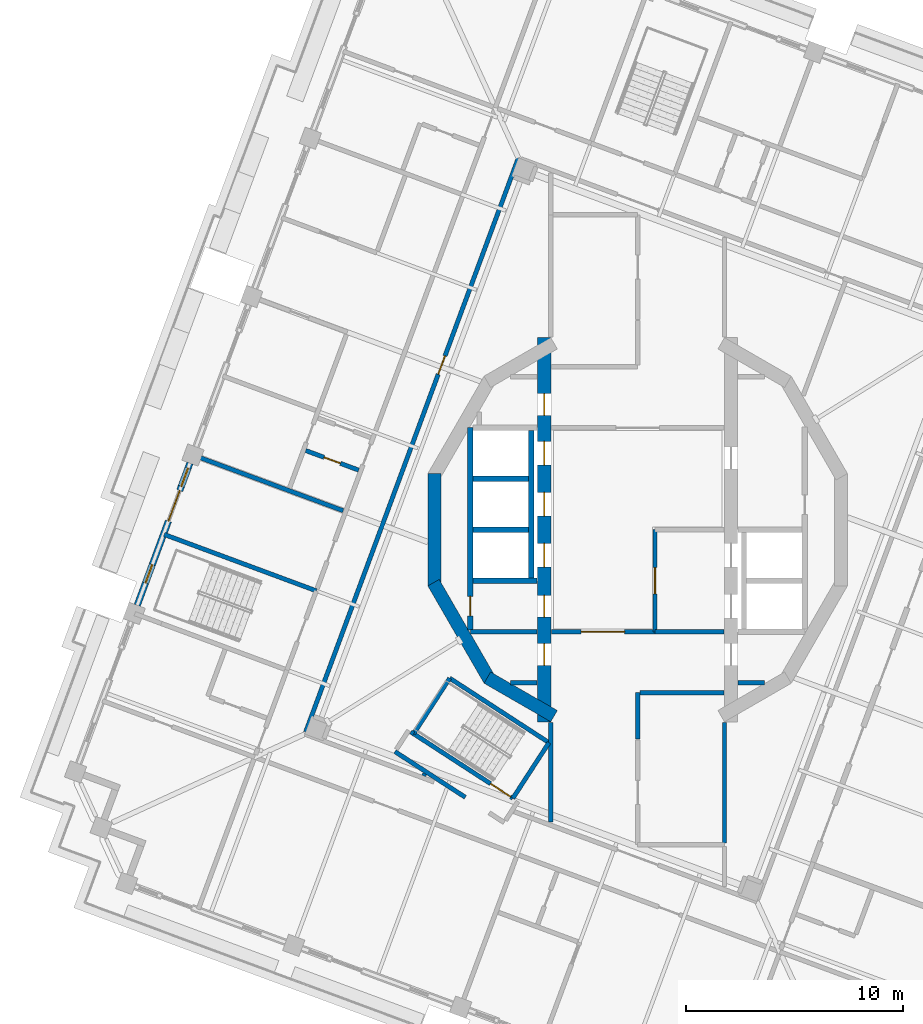
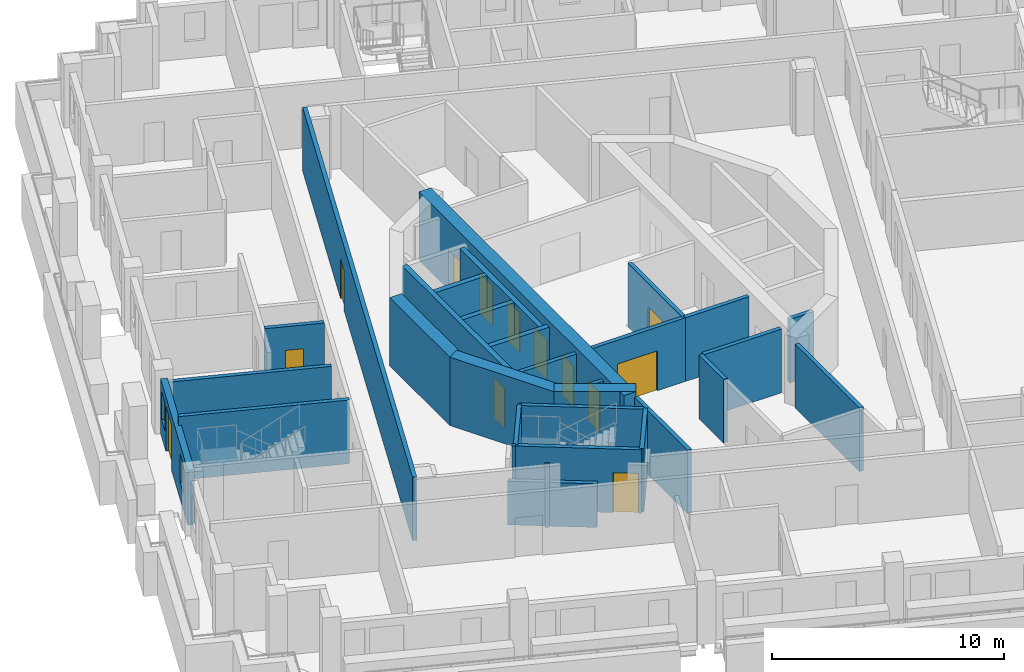
# One storey, part 5 of 19: 31 walls, 13 doors, 2 windows, 15 openings.
"""IFC4 building model written with IfcOpenShell, lengths in metres."""

from ifc_helpers import new_model, si_unit, direction, frame, frame_2d, origin, place, context, subcontext, project, spatial, rectangle, extrude, material, layer, layer_set, type_object, element, fill, save


model = new_model("IFC4")

# Units and contexts
model_context = context("Model", 3, precision=1e-05, world=origin(), true_north=direction((0.0, 1.0)))
body_context = subcontext(model_context, "Body", "Model", "MODEL_VIEW")
ifc_project = project(units=[si_unit("LENGTHUNIT", "METRE"), si_unit("AREAUNIT", "SQUARE_METRE"), si_unit("VOLUMEUNIT", "CUBIC_METRE"), si_unit("PLANEANGLEUNIT", "RADIAN"), si_unit("MASSUNIT", "GRAM", prefix="KILO")], contexts=[model_context])

# Site, building, storey
site_placement = place(None, origin())
site = spatial("IfcSite", under=ifc_project, at=site_placement, CompositionType="ELEMENT")
building_placement = place(site_placement, origin())
building = spatial("IfcBuilding", under=site, at=building_placement, Name="Cantera Rosa Tower", CompositionType="ELEMENT")
storey_placement = place(building_placement, frame((0.0, 0.0, 327.699951171875)))
storey = spatial("IfcBuildingStorey", under=building, at=storey_placement, Name="L73", CompositionType="ELEMENT", Elevation=327.699951171875)

# Walls
ifc_material_1 = material(Name="Gypsum board partition")
ifc_layer_1 = layer(ifc_material_1, 0.199951171875)
ifc_layer_set_1 = layer_set([ifc_layer_1], Name="CORRIDOR WALL 200 H2300")
wall_type_1 = type_object("IfcWallType", Name="CORRIDOR WALL 200 H2300", PredefinedType="PARTITIONING", material=ifc_layer_set_1)
wall_1_placement = place(storey_placement, frame((-11.177490234375, -10.216552734375, 0.0), z_axis=(0.0, 0.0, 1.0), x_axis=(0.83867589464, -0.544630832537, 0.0)))
element("IfcWall", 1, at=wall_1_placement, inside=storey, type_object=wall_type_1, Name="CORRIDOR WALL L73-022", PredefinedType="PARTITIONING", context=body_context, shape_type="SweptSolid", body=[
    extrude(rectangle(XDim=3.864990234375, YDim=0.199951171875, at=frame_2d((1.9326171875, 0.0))), origin(), (0.0, 0.0, 1.0), 2.300048828125),
])
ifc_material_2 = material(Name="Gypsum board partition")
ifc_layer_2 = layer(ifc_material_2, 0.199951171875)
ifc_layer_set_2 = layer_set([ifc_layer_2], Name="CORRIDOR WALL 200 H3350")
wall_type_2 = type_object("IfcWallType", Name="CORRIDOR WALL 200 H3350", PredefinedType="PARTITIONING", material=ifc_layer_set_2)
wall_2_placement = place(storey_placement, frame((-10.31591796875, -9.394775390625, 0.0), z_axis=(0.0, 0.0, 1.0), x_axis=(-0.838299581658, 0.545209878296, 0.0)))
element("IfcWall", 2, at=wall_2_placement, inside=storey, type_object=wall_type_2, Name="CORRIDOR WALL L73-026", PredefinedType="PARTITIONING", context=body_context, shape_type="SweptSolid", body=[
    extrude(rectangle(XDim=0.155029296875, YDim=0.199951171875, at=frame_2d((0.07763671875, 0.0))), origin(), (0.0, 0.0, 1.0), 3.35009765625),
])

# Wall, opening, door
wall_3_placement = place(storey_placement, frame((-5.491455078125, 17.125244140625, 0.0), z_axis=(0.0, 0.0, 1.0), x_axis=(-0.347478457093, -0.937687966147, 0.0)))
wall_3 = element("IfcWall", 3, at=wall_3_placement, inside=storey, type_object=wall_type_2, Name="CORRIDOR WALL L73-045", PredefinedType="PARTITIONING", context=body_context, shape_type="SweptSolid", body=[
    extrude(rectangle(XDim=28.19970703125, YDim=0.199951171875, at=frame_2d((14.099853515625, 0.0))), origin(), (0.0, 0.0, 1.0), 3.35009765625),
])
opening_1_placement = place(wall_3_placement, frame((9.72509765625, 0.0, 0.0)))
opening_1 = element("IfcOpeningElement", 4, at=opening_1_placement, cuts=wall_3, Name="Opening L73-006", PredefinedType="OPENING", context=body_context, shape_type="SweptSolid", body=[
    extrude(rectangle(XDim=0.89990234375, YDim=2.10009765625, at=frame_2d((0.449951171875, 1.050048828125))), frame((0.0, 0.10986328125, 0.0), z_axis=(0.0, -1.0, 0.0), x_axis=(1.0, 0.0, 0.0)), (0.0, 0.0, 1.0), 0.219970703125),
])
ifc_material_3 = material(Name="Timber door leaf", Category="wood")
door_type_1 = type_object("IfcDoorType", Name="SERVICE DOOR 900x2100", OperationType="NOTDEFINED", PredefinedType="DOOR", material=ifc_material_3)
door_1_placement = place(opening_1_placement, origin())
door_1 = element("IfcDoor", 5, at=door_1_placement, inside=storey, type_object=door_type_1, Name="DOOR L73-006", OperationType="NOTDEFINED", OverallHeight=2.10009765625, OverallWidth=0.89990234375, PredefinedType="DOOR", context=body_context, shape_type="SweptSolid", body=[
    extrude(rectangle(XDim=0.89990234375, YDim=2.10009765625, at=frame_2d((0.449951171875, 1.050048828125))), frame((0.0, 0.02490234375, 0.0), z_axis=(0.0, -1.0, 0.0), x_axis=(1.0, 0.0, 0.0)), (0.0, 0.0, 1.0), 0.050048828125),
])
fill(opening_1, door_1)

# Walls
wall_4_placement = place(storey_placement, frame((-4.0, -13.468017578125, 0.0), z_axis=(0.0, 0.0, 1.0), x_axis=(0.0, 1.0, 0.0)))
element("IfcWall", 6, at=wall_4_placement, inside=storey, type_object=wall_type_2, Name="CORRIDOR WALL L73-052", PredefinedType="PARTITIONING", context=body_context, shape_type="SweptSolid", body=[
    extrude(rectangle(XDim=4.589111328125, YDim=0.199951171875, at=frame_2d((2.29443359375, 0.0))), origin(), (0.0, 0.0, 1.0), 3.35009765625),
])
wall_5_placement = place(storey_placement, frame((0.0, -7.5, 0.0), z_axis=(0.0, 0.0, 1.0), x_axis=(0.0, -1.0, 0.0)))
element("IfcWall", 7, at=wall_5_placement, inside=storey, type_object=wall_type_2, Name="CORRIDOR WALL L73-064", PredefinedType="PARTITIONING", context=body_context, shape_type="SweptSolid", body=[
    extrude(rectangle(XDim=2.12939453125, YDim=0.199951171875, at=frame_2d((1.064697265625, 0.0))), origin(), (0.0, 0.0, 1.0), 3.35009765625),
])

# Wall, opening, door
wall_6_placement = place(storey_placement, frame((0.800048828125, -4.699951171875, 0.0), z_axis=(0.0, 0.0, 1.0), x_axis=(-1.0, 0.0, 0.0)))
wall_6 = element("IfcWall", 8, at=wall_6_placement, inside=storey, type_object=wall_type_2, Name="CORRIDOR WALL L73-069", PredefinedType="PARTITIONING", context=body_context, shape_type="SweptSolid", body=[
    extrude(rectangle(XDim=4.77001953125, YDim=0.199951171875, at=frame_2d((2.385009765625, 0.0))), origin(), (0.0, 0.0, 1.0), 3.35009765625),
])
opening_2_placement = place(wall_6_placement, frame((1.39990234375, 0.0, 0.0)))
opening_2 = element("IfcOpeningElement", 9, at=opening_2_placement, cuts=wall_6, Name="Opening L73-012", PredefinedType="OPENING", context=body_context, shape_type="SweptSolid", body=[
    extrude(rectangle(XDim=2.0, YDim=2.10009765625, at=frame_2d((1.0, 1.050048828125))), frame((0.0, 0.10986328125, 0.0), z_axis=(0.0, -1.0, 0.0), x_axis=(1.0, 0.0, 0.0)), (0.0, 0.0, 1.0), 0.219970703125),
])
ifc_material_4 = material(Name="Steel S355J2 (EN 10025-2)", Category="steel")
door_type_2 = type_object("IfcDoorType", Name="LOBBY SCREEN DOOR 2000x2100", OperationType="NOTDEFINED", PredefinedType="DOOR", material=ifc_material_4)
door_2_placement = place(opening_2_placement, origin())
door_2 = element("IfcDoor", 10, at=door_2_placement, inside=storey, type_object=door_type_2, Name="DOOR L73-012", OperationType="NOTDEFINED", OverallHeight=2.10009765625, OverallWidth=2.0, PredefinedType="DOOR", context=body_context, shape_type="SweptSolid", body=[
    extrude(rectangle(XDim=2.0, YDim=2.10009765625, at=frame_2d((1.0, 1.050048828125))), frame((0.0, 0.02490234375, 0.0), z_axis=(0.0, -1.0, 0.0), x_axis=(1.0, 0.0, 0.0)), (0.0, 0.0, 1.0), 0.050048828125),
])
fill(opening_2, door_2)

# Wall
wall_7_placement = place(storey_placement, frame((3.969970703125, -7.5, 0.0), z_axis=(0.0, 0.0, 1.0), x_axis=(-1.0, 0.0, 0.0)))
element("IfcWall", 11, at=wall_7_placement, inside=storey, type_object=wall_type_2, Name="CORRIDOR WALL L73-075", PredefinedType="PARTITIONING", context=body_context, shape_type="SweptSolid", body=[
    extrude(rectangle(XDim=3.869873046875, YDim=0.199951171875, at=frame_2d((1.93505859375, 0.0))), origin(), (0.0, 0.0, 1.0), 3.35009765625),
])

# Wall, openings, windows, door
ifc_material_5 = material(Name="Hollow clay masonry with cantera stone cladding", Category="masonry")
ifc_layer_3 = layer(ifc_material_5, 0.300048828125)
ifc_layer_set_3 = layer_set([ifc_layer_3], Name="EW-LOGGIA 300 H2890")
wall_type_3 = type_object("IfcWallType", Name="EW-LOGGIA 300 H2890", PredefinedType="SOLIDWALL", material=ifc_layer_set_3)
wall_8_placement = place(storey_placement, frame((-20.61962890625, 3.06591796875, 0.0), z_axis=(0.0, 0.0, 1.0), x_axis=(-0.347471562124, -0.937690521182, 0.0)))
wall_8 = element("IfcWall", 12, at=wall_8_placement, inside=storey, type_object=wall_type_3, Name="EN-L73-W10", PredefinedType="SOLIDWALL", context=body_context, shape_type="SweptSolid", body=[
    extrude(rectangle(XDim=6.979736328125, YDim=0.300048828125, at=frame_2d((3.48974609375, 0.0))), origin(), (0.0, 0.0, 1.0), 2.89013671875),
])
opening_3_placement = place(wall_8_placement, frame((0.2451171875, 0.0, 0.89990234375)))
opening_3 = element("IfcOpeningElement", 13, at=opening_3_placement, cuts=wall_8, Name="Opening L73-W22", PredefinedType="OPENING", context=body_context, shape_type="SweptSolid", body=[
    extrude(rectangle(XDim=0.89990234375, YDim=1.5, at=frame_2d((0.449951171875, 0.75))), frame((0.0, 0.159912109375, 0.0), z_axis=(0.0, -1.0, 0.0), x_axis=(1.0, 0.0, 0.0)), (0.0, 0.0, 1.0), 0.320068359375),
])
opening_4_placement = place(wall_8_placement, frame((1.344970703125, 0.0, 0.0)))
opening_4 = element("IfcOpeningElement", 14, at=opening_4_placement, cuts=wall_8, Name="Opening L73-TD23", PredefinedType="OPENING", context=body_context, shape_type="SweptSolid", body=[
    extrude(rectangle(XDim=1.5, YDim=2.39990234375, at=frame_2d((0.75, 1.199951171875))), frame((0.0, 0.159912109375, 0.0), z_axis=(0.0, -1.0, 0.0), x_axis=(1.0, 0.0, 0.0)), (0.0, 0.0, 1.0), 0.320068359375),
])
opening_5_placement = place(wall_8_placement, frame((4.985107421875, 0.0, 0.89990234375)))
opening_5 = element("IfcOpeningElement", 15, at=opening_5_placement, cuts=wall_8, Name="Opening L73-W24", PredefinedType="OPENING", context=body_context, shape_type="SweptSolid", body=[
    extrude(rectangle(XDim=0.89990234375, YDim=1.5, at=frame_2d((0.449951171875, 0.75))), frame((0.0, 0.159912109375, 0.0), z_axis=(0.0, -1.0, 0.0), x_axis=(1.0, 0.0, 0.0)), (0.0, 0.0, 1.0), 0.320068359375),
])
ifc_material_6 = material(Name="Aluminium frame with clear glass", Category="aluminium")
window_type = type_object("IfcWindowType", Name="Residential window 900x1500", PartitioningType="SINGLE_PANEL", PredefinedType="WINDOW", material=ifc_material_6)
window_1_placement = place(opening_3_placement, origin())
window_1 = element("IfcWindow", 16, at=window_1_placement, inside=storey, type_object=window_type, Name="WINDOW L73-W22", OverallHeight=1.5, OverallWidth=0.89990234375, PartitioningType="SINGLE_PANEL", PredefinedType="WINDOW", context=body_context, shape_type="SweptSolid", body=[
    extrude(rectangle(XDim=0.89990234375, YDim=1.5, at=frame_2d((0.449951171875, 0.75))), frame((0.0, 0.030029296875, 0.0), z_axis=(0.0, -1.0, 0.0), x_axis=(1.0, 0.0, 0.0)), (0.0, 0.0, 1.0), 0.06005859375),
])
fill(opening_3, window_1)
window_2_placement = place(opening_5_placement, origin())
window_2 = element("IfcWindow", 17, at=window_2_placement, inside=storey, type_object=window_type, Name="WINDOW L73-W24", OverallHeight=1.5, OverallWidth=0.89990234375, PartitioningType="SINGLE_PANEL", PredefinedType="WINDOW", context=body_context, shape_type="SweptSolid", body=[
    extrude(rectangle(XDim=0.89990234375, YDim=1.5, at=frame_2d((0.449951171875, 0.75))), frame((0.0, 0.030029296875, 0.0), z_axis=(0.0, -1.0, 0.0), x_axis=(1.0, 0.0, 0.0)), (0.0, 0.0, 1.0), 0.06005859375),
])
fill(opening_5, window_2)
ifc_material_7 = material(Name="Aluminium frame with clear glass", Category="aluminium")
door_type_3 = type_object("IfcDoorType", Name="TD-R 1500x2400", OperationType="NOTDEFINED", PredefinedType="DOOR", material=ifc_material_7)
door_3_placement = place(opening_4_placement, origin())
door_3 = element("IfcDoor", 18, at=door_3_placement, inside=storey, type_object=door_type_3, Name="LOGGIA DOOR L73-TD23", OperationType="SLIDING_TO_LEFT", OverallHeight=2.39990234375, OverallWidth=1.5, PredefinedType="DOOR", context=body_context, shape_type="SweptSolid", body=[
    extrude(rectangle(XDim=1.5, YDim=2.39990234375, at=frame_2d((0.75, 1.199951171875))), frame((0.0, 0.02490234375, 0.0), z_axis=(0.0, -1.0, 0.0), x_axis=(1.0, 0.0, 0.0)), (0.0, 0.0, 1.0), 0.050048828125),
])
fill(opening_4, door_3)

# Wall, opening, door
ifc_material_8 = material(Name="Gypsum board partition")
ifc_layer_4 = layer(ifc_material_8, 0.199951171875)
ifc_layer_set_4 = layer_set([ifc_layer_4], Name="PARTITION 200 H3350")
wall_type_4 = type_object("IfcWallType", Name="PARTITION 200 H3350", PredefinedType="PARTITIONING", material=ifc_layer_set_4)
wall_9_placement = place(storey_placement, frame((-15.28466796875, 3.6484375, 0.0), z_axis=(0.0, 0.0, 1.0), x_axis=(0.937703444273, -0.347436685741, 0.0)))
wall_9 = element("IfcWall", 19, at=wall_9_placement, inside=storey, type_object=wall_type_4, Name="PARTITION L73-012", PredefinedType="PARTITIONING", context=body_context, shape_type="SweptSolid", body=[
    extrude(rectangle(XDim=2.599853515625, YDim=0.199951171875, at=frame_2d((1.2998046875, 0.0))), origin(), (0.0, 0.0, 1.0), 3.35009765625),
])
opening_6_placement = place(wall_9_placement, frame((0.89990234375, 0.0, 0.0)))
opening_6 = element("IfcOpeningElement", 20, at=opening_6_placement, cuts=wall_9, Name="Opening L73-029", PredefinedType="OPENING", context=body_context, shape_type="SweptSolid", body=[
    extrude(rectangle(XDim=0.800048828125, YDim=2.10009765625, at=frame_2d((0.39990234375, 1.050048828125))), frame((0.0, 0.10986328125, 0.0), z_axis=(0.0, -1.0, 0.0), x_axis=(1.0, 0.0, 0.0)), (0.0, 0.0, 1.0), 0.219970703125),
])
ifc_material_9 = material(Name="Timber door leaf", Category="wood")
door_type_4 = type_object("IfcDoorType", Name="BATHROOM DOOR 800x2100", OperationType="NOTDEFINED", PredefinedType="DOOR", material=ifc_material_9)
door_4_placement = place(opening_6_placement, origin())
door_4 = element("IfcDoor", 21, at=door_4_placement, inside=storey, type_object=door_type_4, Name="DOOR L73-029", OperationType="NOTDEFINED", OverallHeight=2.10009765625, OverallWidth=0.800048828125, PredefinedType="DOOR", context=body_context, shape_type="SweptSolid", body=[
    extrude(rectangle(XDim=0.800048828125, YDim=2.10009765625, at=frame_2d((0.39990234375, 1.050048828125))), frame((0.0, 0.02490234375, 0.0), z_axis=(0.0, -1.0, 0.0), x_axis=(1.0, 0.0, 0.0)), (0.0, 0.0, 1.0), 0.050048828125),
])
fill(opening_6, door_4)

# Walls
wall_10_placement = place(storey_placement, frame((-9.79931640625, -11.230224609375, 0.0), z_axis=(0.0, 0.0, 1.0), x_axis=(-0.4472135955, -0.894427191, 0.0)))
element("IfcWall", 22, at=wall_10_placement, inside=storey, type_object=wall_type_4, Name="PARTITION L73-028", PredefinedType="PARTITIONING", context=body_context, shape_type="SweptSolid", body=[
    extrude(rectangle(XDim=0.11572265625, YDim=0.199951171875, at=frame_2d((0.057861328125, 0.0))), origin(), (0.0, 0.0, 1.0), 3.35009765625),
])
wall_11_placement = place(storey_placement, frame((-7.699951171875, -4.699951171875, 0.0), z_axis=(0.0, 0.0, 1.0), x_axis=(1.0, 0.0, 0.0)))
element("IfcWall", 23, at=wall_11_placement, inside=storey, type_object=wall_type_4, Name="PARTITION L73-030", PredefinedType="PARTITIONING", context=body_context, shape_type="SweptSolid", body=[
    extrude(rectangle(XDim=3.070068359375, YDim=0.199951171875, at=frame_2d((1.53515625, 0.0))), origin(), (0.0, 0.0, 1.0), 3.35009765625),
])
wall_12_placement = place(storey_placement, frame((-4.6298828125, -7.050048828125, 0.0), z_axis=(0.0, 0.0, 1.0), x_axis=(-1.0, 0.0, 0.0)))
element("IfcWall", 24, at=wall_12_placement, inside=storey, type_object=wall_type_4, Name="PARTITION L73-048", PredefinedType="PARTITIONING", context=body_context, shape_type="SweptSolid", body=[
    extrude(rectangle(XDim=1.2177734375, YDim=0.199951171875, at=frame_2d((0.60888671875, 0.0))), origin(), (0.0, 0.0, 1.0), 3.35009765625),
])
wall_13_placement = place(storey_placement, frame((4.0, -14.419921875, 0.0), z_axis=(0.0, 0.0, 1.0), x_axis=(0.0, 1.0, 0.0)))
element("IfcWall", 25, at=wall_13_placement, inside=storey, type_object=wall_type_4, Name="PARTITION L73-078", PredefinedType="PARTITIONING", context=body_context, shape_type="SweptSolid", body=[
    extrude(rectangle(XDim=5.541015625, YDim=0.199951171875, at=frame_2d((2.7705078125, 0.0))), origin(), (0.0, 0.0, 1.0), 3.35009765625),
])
wall_14_placement = place(storey_placement, frame((5.84765625, -7.050048828125, 0.0), z_axis=(0.0, 0.0, 1.0), x_axis=(-1.0, 0.0, 0.0)))
element("IfcWall", 26, at=wall_14_placement, inside=storey, type_object=wall_type_4, Name="PARTITION L73-087", PredefinedType="PARTITIONING", context=body_context, shape_type="SweptSolid", body=[
    extrude(rectangle(XDim=1.2177734375, YDim=0.199951171875, at=frame_2d((0.60888671875, 0.0))), origin(), (0.0, 0.0, 1.0), 3.35009765625),
])
ifc_material_10 = material(Name="Gypsum board partition")
ifc_layer_5 = layer(ifc_material_10, 0.199951171875)
ifc_layer_set_5 = layer_set([ifc_layer_5], Name="PARTY WALL 200 H2450")
wall_type_5 = type_object("IfcWallType", Name="PARTY WALL 200 H2450", PredefinedType="PARTITIONING", material=ifc_layer_set_5)
wall_15_placement = place(storey_placement, frame((-13.560302734375, 0.876708984375, 0.0), z_axis=(0.0, 0.0, 1.0), x_axis=(-0.937689847803, 0.347473379308, 0.0)))
element("IfcWall", 27, at=wall_15_placement, inside=storey, type_object=wall_type_5, Name="PARTY WALL L73-019", PredefinedType="PARTITIONING", context=body_context, shape_type="SweptSolid", body=[
    extrude(rectangle(XDim=7.35009765625, YDim=0.199951171875, at=frame_2d((3.675048828125, 0.0))), origin(), (0.0, 0.0, 1.0), 2.449951171875),
])
ifc_material_11 = material(Name="Concrete C50/60", Category="concrete")
ifc_layer_6 = layer(ifc_material_11, 0.60009765625)
ifc_layer_set_6 = layer_set([ifc_layer_6], Name="RC CORE WALL 600 C50/60")
wall_type_6 = type_object("IfcWallType", Name="RC CORE WALL 600 C50/60", PredefinedType="SHEAR", material=ifc_layer_set_6)
wall_16_placement = place(storey_placement, frame((-3.85009765625, -8.584228515625, 0.0), z_axis=(0.0, 0.0, 1.0), x_axis=(-0.866039982607, 0.499974747889, 0.0)))
element("IfcWall", 28, at=wall_16_placement, inside=storey, type_object=wall_type_6, Name="CW-W1 L73", PredefinedType="SHEAR", context=body_context, shape_type="SweptSolid", body=[
    extrude(rectangle(XDim=3.546142578125, YDim=0.60009765625, at=frame_2d((1.77294921875, 0.0))), origin(), (0.0, 0.0, 1.0), 3.60009765625),
])
for number, where, z_axis, x_axis, name in (
    (29, (-6.811279296875, -6.921142578125, 0.0), (0.0, 0.0, 1.0), (-0.499989188378, 0.866031645787, 0.0), "CW-W2 L73"),
    (30, (-9.359375, -2.588134765625, 0.0), (0.0, 0.0, 1.0), (0.0, 1.0, 0.0), "CW-W3 L73"),
):
    element("IfcWall", number, at=place(storey_placement, frame(where, z_axis=z_axis, x_axis=x_axis)), inside=storey, type_object=wall_type_6, Name=name, PredefinedType="SHEAR", context=body_context, shape_type="SweptSolid", body=[
        extrude(rectangle(XDim=5.17626953125, YDim=0.60009765625, at=frame_2d((2.588134765625, 0.0))), origin(), (0.0, 0.0, 1.0), 3.60009765625),
    ])

# Wall, openings, doors
wall_17_placement = place(storey_placement, frame((-4.300048828125, 8.84423828125, 0.0), z_axis=(0.0, 0.0, 1.0), x_axis=(0.0, -1.0, 0.0)))
wall_17 = element("IfcWall", 31, at=wall_17_placement, inside=storey, type_object=wall_type_6, Name="CW-W6 L73", PredefinedType="SHEAR", context=body_context, shape_type="SweptSolid", body=[
    extrude(rectangle(XDim=17.6884765625, YDim=0.60009765625, at=frame_2d((8.84423828125, 0.0))), origin(), (0.0, 0.0, 1.0), 3.60009765625),
])
opening_7_placement = place(wall_17_placement, frame((9.468994140625, 0.0, 0.0)))
opening_7 = element("IfcOpeningElement", 32, at=opening_7_placement, cuts=wall_17, Name="Opening LD-H1-L73", PredefinedType="OPENING", context=body_context, shape_type="SweptSolid", body=[
    extrude(rectangle(XDim=1.10009765625, YDim=2.10009765625, at=frame_2d((0.550048828125, 1.050048828125))), frame((0.0, 0.31005859375, 0.0), z_axis=(0.0, -1.0, 0.0), x_axis=(1.0, 0.0, 0.0)), (0.0, 0.0, 1.0), 0.6201171875),
])
opening_8_placement = place(wall_17_placement, frame((7.119140625, 0.0, 0.0)))
opening_8 = element("IfcOpeningElement", 33, at=opening_8_placement, cuts=wall_17, Name="Opening LD-H2-L73", PredefinedType="OPENING", context=body_context, shape_type="SweptSolid", body=[
    extrude(rectangle(XDim=1.10009765625, YDim=2.10009765625, at=frame_2d((0.550048828125, 1.050048828125))), frame((0.0, 0.31005859375, 0.0), z_axis=(0.0, -1.0, 0.0), x_axis=(1.0, 0.0, 0.0)), (0.0, 0.0, 1.0), 0.6201171875),
])
opening_9_placement = place(wall_17_placement, frame((4.76904296875, 0.0, 0.0)))
opening_9 = element("IfcOpeningElement", 34, at=opening_9_placement, cuts=wall_17, Name="Opening LD-H3-L73", PredefinedType="OPENING", context=body_context, shape_type="SweptSolid", body=[
    extrude(rectangle(XDim=1.10009765625, YDim=2.10009765625, at=frame_2d((0.550048828125, 1.050048828125))), frame((0.0, 0.31005859375, 0.0), z_axis=(0.0, -1.0, 0.0), x_axis=(1.0, 0.0, 0.0)), (0.0, 0.0, 1.0), 0.6201171875),
])
opening_10_placement = place(wall_17_placement, frame((14.091552734375, 0.0, 0.0)))
opening_10 = element("IfcOpeningElement", 35, at=opening_10_placement, cuts=wall_17, Name="Opening SD-L73-16", PredefinedType="OPENING", context=body_context, shape_type="SweptSolid", body=[
    extrude(rectangle(XDim=1.0, YDim=2.10009765625, at=frame_2d((0.5, 1.050048828125))), frame((0.0, 0.31005859375, 0.0), z_axis=(0.0, -1.0, 0.0), x_axis=(1.0, 0.0, 0.0)), (0.0, 0.0, 1.0), 0.6201171875),
])
opening_11_placement = place(wall_17_placement, frame((2.572265625, 0.0, 0.0)))
opening_11 = element("IfcOpeningElement", 36, at=opening_11_placement, cuts=wall_17, Name="Opening SD-L73-17", PredefinedType="OPENING", context=body_context, shape_type="SweptSolid", body=[
    extrude(rectangle(XDim=1.0, YDim=2.10009765625, at=frame_2d((0.5, 1.050048828125))), frame((0.0, 0.31005859375, 0.0), z_axis=(0.0, -1.0, 0.0), x_axis=(1.0, 0.0, 0.0)), (0.0, 0.0, 1.0), 0.6201171875),
])
opening_12_placement = place(wall_17_placement, frame((11.869140625, 0.0, 0.0)))
opening_12 = element("IfcOpeningElement", 37, at=opening_12_placement, cuts=wall_17, Name="Opening SD-L73-18", PredefinedType="OPENING", context=body_context, shape_type="SweptSolid", body=[
    extrude(rectangle(XDim=1.0, YDim=2.10009765625, at=frame_2d((0.5, 1.050048828125))), frame((0.0, 0.31005859375, 0.0), z_axis=(0.0, -1.0, 0.0), x_axis=(1.0, 0.0, 0.0)), (0.0, 0.0, 1.0), 0.6201171875),
])
ifc_material_12 = material(Name="Steel S355J2 (EN 10025-2)", Category="steel")
door_type_5 = type_object("IfcDoorType", Name="LANDING DOOR 1100x2100", OperationType="NOTDEFINED", PredefinedType="DOOR", material=ifc_material_12)
door_5_placement = place(opening_7_placement, origin())
door_5 = element("IfcDoor", 38, at=door_5_placement, inside=storey, type_object=door_type_5, Name="LANDING DOOR H1 L73", OperationType="SLIDING_TO_LEFT", OverallHeight=2.10009765625, OverallWidth=1.10009765625, PredefinedType="DOOR", context=body_context, shape_type="SweptSolid", body=[
    extrude(rectangle(XDim=1.10009765625, YDim=2.10009765625, at=frame_2d((0.550048828125, 1.050048828125))), frame((0.0, 0.02490234375, 0.0), z_axis=(0.0, -1.0, 0.0), x_axis=(1.0, 0.0, 0.0)), (0.0, 0.0, 1.0), 0.050048828125),
])
fill(opening_7, door_5)
door_6_placement = place(opening_8_placement, origin())
door_6 = element("IfcDoor", 39, at=door_6_placement, inside=storey, type_object=door_type_5, Name="LANDING DOOR H2 L73", OperationType="SLIDING_TO_LEFT", OverallHeight=2.10009765625, OverallWidth=1.10009765625, PredefinedType="DOOR", context=body_context, shape_type="SweptSolid", body=[
    extrude(rectangle(XDim=1.10009765625, YDim=2.10009765625, at=frame_2d((0.550048828125, 1.050048828125))), frame((0.0, 0.02490234375, 0.0), z_axis=(0.0, -1.0, 0.0), x_axis=(1.0, 0.0, 0.0)), (0.0, 0.0, 1.0), 0.050048828125),
])
fill(opening_8, door_6)
door_7_placement = place(opening_9_placement, origin())
door_7 = element("IfcDoor", 40, at=door_7_placement, inside=storey, type_object=door_type_5, Name="LANDING DOOR H3 L73", OperationType="SLIDING_TO_LEFT", OverallHeight=2.10009765625, OverallWidth=1.10009765625, PredefinedType="DOOR", context=body_context, shape_type="SweptSolid", body=[
    extrude(rectangle(XDim=1.10009765625, YDim=2.10009765625, at=frame_2d((0.550048828125, 1.050048828125))), frame((0.0, 0.02490234375, 0.0), z_axis=(0.0, -1.0, 0.0), x_axis=(1.0, 0.0, 0.0)), (0.0, 0.0, 1.0), 0.050048828125),
])
fill(opening_9, door_7)
ifc_material_13 = material(Name="Timber door leaf", Category="wood")
door_type_6 = type_object("IfcDoorType", Name="SERVICE DOOR 1000x2100", OperationType="NOTDEFINED", PredefinedType="DOOR", material=ifc_material_13)
door_8_placement = place(opening_10_placement, origin())
door_8 = element("IfcDoor", 41, at=door_8_placement, inside=storey, type_object=door_type_6, Name="DOOR L73-SD16", OperationType="NOTDEFINED", OverallHeight=2.10009765625, OverallWidth=1.0, PredefinedType="DOOR", context=body_context, shape_type="SweptSolid", body=[
    extrude(rectangle(XDim=1.0, YDim=2.10009765625, at=frame_2d((0.5, 1.050048828125))), frame((0.0, 0.02490234375, 0.0), z_axis=(0.0, -1.0, 0.0), x_axis=(1.0, 0.0, 0.0)), (0.0, 0.0, 1.0), 0.050048828125),
])
fill(opening_10, door_8)
door_9_placement = place(opening_11_placement, origin())
door_9 = element("IfcDoor", 42, at=door_9_placement, inside=storey, type_object=door_type_6, Name="DOOR L73-SD17", OperationType="NOTDEFINED", OverallHeight=2.10009765625, OverallWidth=1.0, PredefinedType="DOOR", context=body_context, shape_type="SweptSolid", body=[
    extrude(rectangle(XDim=1.0, YDim=2.10009765625, at=frame_2d((0.5, 1.050048828125))), frame((0.0, 0.02490234375, 0.0), z_axis=(0.0, -1.0, 0.0), x_axis=(1.0, 0.0, 0.0)), (0.0, 0.0, 1.0), 0.050048828125),
])
fill(opening_11, door_9)
door_10_placement = place(opening_12_placement, origin())
door_10 = element("IfcDoor", 43, at=door_10_placement, inside=storey, type_object=door_type_6, Name="DOOR L73-SD18", OperationType="NOTDEFINED", OverallHeight=2.10009765625, OverallWidth=1.0, PredefinedType="DOOR", context=body_context, shape_type="SweptSolid", body=[
    extrude(rectangle(XDim=1.0, YDim=2.10009765625, at=frame_2d((0.5, 1.050048828125))), frame((0.0, 0.02490234375, 0.0), z_axis=(0.0, -1.0, 0.0), x_axis=(1.0, 0.0, 0.0)), (0.0, 0.0, 1.0), 0.050048828125),
])
fill(opening_12, door_10)

# Walls
ifc_material_14 = material(Name="Masonry blockwork", Category="masonry")
ifc_layer_7 = layer(ifc_material_14, 0.25)
ifc_layer_set_7 = layer_set([ifc_layer_7], Name="SHAFT WALL 250 H3350")
wall_type_7 = type_object("IfcWallType", Name="SHAFT WALL 250 H3350", PredefinedType="SOLIDWALL", material=ifc_layer_set_7)
for number, where, z_axis, x_axis, name in (
    (44, (-7.574951171875, 0.0, 0.0), (0.0, 0.0, 1.0), (1.0, 0.0, 0.0), "SHAFT WALL L73-031"),
    (45, (-7.574951171875, 2.35009765625, 0.0), (0.0, 0.0, 1.0), (1.0, 0.0, 0.0), "SHAFT WALL L73-032"),
):
    element("IfcWall", number, at=place(storey_placement, frame(where, z_axis=z_axis, x_axis=x_axis)), inside=storey, type_object=wall_type_7, Name=name, PredefinedType="SOLIDWALL", context=body_context, shape_type="SweptSolid", body=[
        extrude(rectangle(XDim=2.554931640625, YDim=0.25, at=frame_2d((1.27734375, 0.0))), origin(), (0.0, 0.0, 1.0), 3.35009765625),
    ])

# Wall, opening, door
wall_18_placement = place(storey_placement, frame((-7.699951171875, 4.699951171875, 0.0), z_axis=(0.0, 0.0, 1.0), x_axis=(0.0, -1.0, 0.0)))
wall_18 = element("IfcWall", 46, at=wall_18_placement, inside=storey, type_object=wall_type_7, Name="SHAFT WALL L73-033", PredefinedType="SOLIDWALL", context=body_context, shape_type="SweptSolid", body=[
    extrude(rectangle(XDim=9.320068359375, YDim=0.25, at=frame_2d((4.66015625, 0.0))), origin(), (0.0, 0.0, 1.0), 3.35009765625),
])
opening_13_placement = place(wall_18_placement, frame((7.7705078125, 0.0, 0.0)))
opening_13 = element("IfcOpeningElement", 47, at=opening_13_placement, cuts=wall_18, Name="Opening L73-053", PredefinedType="OPENING", context=body_context, shape_type="SweptSolid", body=[
    extrude(rectangle(XDim=0.89990234375, YDim=2.10009765625, at=frame_2d((0.449951171875, 1.050048828125))), frame((0.0, 0.135009765625, 0.0), z_axis=(0.0, -1.0, 0.0), x_axis=(1.0, 0.0, 0.0)), (0.0, 0.0, 1.0), 0.27001953125),
])
door_11_placement = place(opening_13_placement, origin())
door_11 = element("IfcDoor", 48, at=door_11_placement, inside=storey, type_object=door_type_1, Name="RISER DOOR L73-053", OperationType="NOTDEFINED", OverallHeight=2.10009765625, OverallWidth=0.89990234375, PredefinedType="DOOR", context=body_context, shape_type="SweptSolid", body=[
    extrude(rectangle(XDim=0.89990234375, YDim=2.10009765625, at=frame_2d((0.449951171875, 1.050048828125))), frame((0.0, 0.02490234375, 0.0), z_axis=(0.0, -1.0, 0.0), x_axis=(1.0, 0.0, 0.0)), (0.0, 0.0, 1.0), 0.050048828125),
])
fill(opening_13, door_11)

# Walls
wall_19_placement = place(storey_placement, frame((-4.89990234375, -2.22509765625, 0.0), z_axis=(0.0, 0.0, 1.0), x_axis=(0.0, 1.0, 0.0)))
element("IfcWall", 49, at=wall_19_placement, inside=storey, type_object=wall_type_7, Name="SHAFT WALL L73-047", PredefinedType="SOLIDWALL", context=body_context, shape_type="SweptSolid", body=[
    extrude(rectangle(XDim=6.800048828125, YDim=0.25, at=frame_2d((3.39990234375, 0.0))), origin(), (0.0, 0.0, 1.0), 3.35009765625),
])
wall_20_placement = place(storey_placement, frame((-4.6298828125, -2.35009765625, 0.0), z_axis=(0.0, 0.0, 1.0), x_axis=(-1.0, 0.0, 0.0)))
element("IfcWall", 50, at=wall_20_placement, inside=storey, type_object=wall_type_7, Name="SHAFT WALL L73-049", PredefinedType="SOLIDWALL", context=body_context, shape_type="SweptSolid", body=[
    extrude(rectangle(XDim=2.945068359375, YDim=0.25, at=frame_2d((1.47265625, 0.0))), origin(), (0.0, 0.0, 1.0), 3.35009765625),
])
ifc_material_15 = material(Name="Concrete C50/60", Category="concrete")
ifc_layer_8 = layer(ifc_material_15, 0.199951171875)
ifc_layer_set_8 = layer_set([ifc_layer_8], Name="STAIR WALL 200 H3350")
wall_type_8 = type_object("IfcWallType", Name="STAIR WALL 200 H3350", PredefinedType="SOLIDWALL", material=ifc_layer_set_8)
wall_21_placement = place(storey_placement, frame((-14.799560546875, -2.812744140625, 0.0), z_axis=(0.0, 0.0, 1.0), x_axis=(-0.93768803379, 0.347478274555, 0.0)))
element("IfcWall", 51, at=wall_21_placement, inside=storey, type_object=wall_type_8, Name="STAIR WALL L73-016", PredefinedType="SOLIDWALL", context=body_context, shape_type="SweptSolid", body=[
    extrude(rectangle(XDim=7.47021484375, YDim=0.199951171875, at=frame_2d((3.735107421875, 0.0))), origin(), (0.0, 0.0, 1.0), 3.35009765625),
])
wall_22_placement = place(storey_placement, frame((-8.65478515625, -6.8369140625, 0.0), z_axis=(0.0, 0.0, 1.0), x_axis=(-0.544647854685, -0.838664840319, 0.0)))
element("IfcWall", 52, at=wall_22_placement, inside=storey, type_object=wall_type_8, Name="STAIR WALL L73-029", PredefinedType="SOLIDWALL", context=body_context, shape_type="SweptSolid", body=[
    extrude(rectangle(XDim=3.0498046875, YDim=0.199951171875, at=frame_2d((1.52490234375, 0.0))), origin(), (0.0, 0.0, 1.0), 3.35009765625),
])

# Wall, opening, door
wall_23_placement = place(storey_placement, frame((-5.7451171875, -12.363037109375, 0.0), z_axis=(0.0, 0.0, 1.0), x_axis=(-0.838674843592, 0.544632451041, 0.0)))
wall_23 = element("IfcWall", 53, at=wall_23_placement, inside=storey, type_object=wall_type_8, Name="STAIR WALL L73-043", PredefinedType="SOLIDWALL", context=body_context, shape_type="SweptSolid", body=[
    extrude(rectangle(XDim=5.449951171875, YDim=0.199951171875, at=frame_2d((2.72509765625, 0.0))), origin(), (0.0, 0.0, 1.0), 3.35009765625),
])
opening_14_placement = place(wall_23_placement, frame((0.1298828125, 0.0, 0.0)))
opening_14 = element("IfcOpeningElement", 54, at=opening_14_placement, cuts=wall_23, Name="Opening L73-004", PredefinedType="OPENING", context=body_context, shape_type="SweptSolid", body=[
    extrude(rectangle(XDim=1.10009765625, YDim=2.10009765625, at=frame_2d((0.550048828125, 1.050048828125))), frame((0.0, 0.10986328125, 0.0), z_axis=(0.0, -1.0, 0.0), x_axis=(1.0, 0.0, 0.0)), (0.0, 0.0, 1.0), 0.219970703125),
])
ifc_material_16 = material(Name="Steel S355J2 (EN 10025-2)", Category="steel")
door_type_7 = type_object("IfcDoorType", Name="STAIR DOOR 1100x2100", OperationType="NOTDEFINED", PredefinedType="DOOR", material=ifc_material_16)
door_12_placement = place(opening_14_placement, origin())
door_12 = element("IfcDoor", 55, at=door_12_placement, inside=storey, type_object=door_type_7, Name="DOOR L73-004", OperationType="NOTDEFINED", OverallHeight=2.10009765625, OverallWidth=1.10009765625, PredefinedType="DOOR", context=body_context, shape_type="SweptSolid", body=[
    extrude(rectangle(XDim=1.10009765625, YDim=2.10009765625, at=frame_2d((0.550048828125, 1.050048828125))), frame((0.0, 0.02490234375, 0.0), z_axis=(0.0, -1.0, 0.0), x_axis=(1.0, 0.0, 0.0)), (0.0, 0.0, 1.0), 0.050048828125),
])
fill(opening_14, door_12)

# Walls
wall_24_placement = place(storey_placement, frame((-4.083984375, -9.80517578125, 0.0), z_axis=(0.0, 0.0, 1.0), x_axis=(-0.838674843592, 0.544632451041, 0.0)))
element("IfcWall", 56, at=wall_24_placement, inside=storey, type_object=wall_type_8, Name="STAIR WALL L73-050", PredefinedType="SOLIDWALL", context=body_context, shape_type="SweptSolid", body=[
    extrude(rectangle(XDim=5.449951171875, YDim=0.199951171875, at=frame_2d((2.72509765625, 0.0))), origin(), (0.0, 0.0, 1.0), 3.35009765625),
])
wall_25_placement = place(storey_placement, frame((-4.083984375, -9.80517578125, 0.0), z_axis=(0.0, 0.0, 1.0), x_axis=(-0.544647854685, -0.838664840319, 0.0)))
element("IfcWall", 57, at=wall_25_placement, inside=storey, type_object=wall_type_8, Name="STAIR WALL L73-051", PredefinedType="SOLIDWALL", context=body_context, shape_type="SweptSolid", body=[
    extrude(rectangle(XDim=3.0498046875, YDim=0.199951171875, at=frame_2d((1.52490234375, 0.0))), origin(), (0.0, 0.0, 1.0), 3.35009765625),
])

# Wall, opening, door
wall_26_placement = place(storey_placement, frame((0.800048828125, -4.699951171875, 0.0), z_axis=(0.0, 0.0, 1.0), x_axis=(0.0, 1.0, 0.0)))
wall_26 = element("IfcWall", 58, at=wall_26_placement, inside=storey, type_object=wall_type_8, Name="STAIR WALL L73-070", PredefinedType="SOLIDWALL", context=body_context, shape_type="SweptSolid", body=[
    extrude(rectangle(XDim=4.699951171875, YDim=0.199951171875, at=frame_2d((2.35009765625, 0.0))), origin(), (0.0, 0.0, 1.0), 3.35009765625),
])
opening_15_placement = place(wall_26_placement, frame((1.75, 0.0, 0.0)))
opening_15 = element("IfcOpeningElement", 59, at=opening_15_placement, cuts=wall_26, Name="Opening L73-013", PredefinedType="OPENING", context=body_context, shape_type="SweptSolid", body=[
    extrude(rectangle(XDim=1.199951171875, YDim=2.10009765625, at=frame_2d((0.60009765625, 1.050048828125))), frame((0.0, 0.10986328125, 0.0), z_axis=(0.0, -1.0, 0.0), x_axis=(1.0, 0.0, 0.0)), (0.0, 0.0, 1.0), 0.219970703125),
])
ifc_material_17 = material(Name="Steel S355J2 (EN 10025-2)", Category="steel")
door_type_8 = type_object("IfcDoorType", Name="FIRE DOOR 1200x2100", OperationType="NOTDEFINED", PredefinedType="DOOR", material=ifc_material_17)
door_13_placement = place(opening_15_placement, origin())
door_13 = element("IfcDoor", 60, at=door_13_placement, inside=storey, type_object=door_type_8, Name="DOOR L73-013", OperationType="NOTDEFINED", OverallHeight=2.10009765625, OverallWidth=1.199951171875, PredefinedType="DOOR", context=body_context, shape_type="SweptSolid", body=[
    extrude(rectangle(XDim=1.199951171875, YDim=2.10009765625, at=frame_2d((0.60009765625, 1.050048828125))), frame((0.0, 0.02490234375, 0.0), z_axis=(0.0, -1.0, 0.0), x_axis=(1.0, 0.0, 0.0)), (0.0, 0.0, 1.0), 0.050048828125),
])
fill(opening_15, door_13)

# Wall
wall_27_placement = place(storey_placement, frame((3.969970703125, -4.699951171875, 0.0), z_axis=(0.0, 0.0, 1.0), x_axis=(-1.0, 0.0, 0.0)))
element("IfcWall", 61, at=wall_27_placement, inside=storey, type_object=wall_type_8, Name="STAIR WALL L73-076", PredefinedType="SOLIDWALL", context=body_context, shape_type="SweptSolid", body=[
    extrude(rectangle(XDim=3.169921875, YDim=0.199951171875, at=frame_2d((1.5849609375, 0.0))), origin(), (0.0, 0.0, 1.0), 3.35009765625),
])

save(model, "model.ifc")
